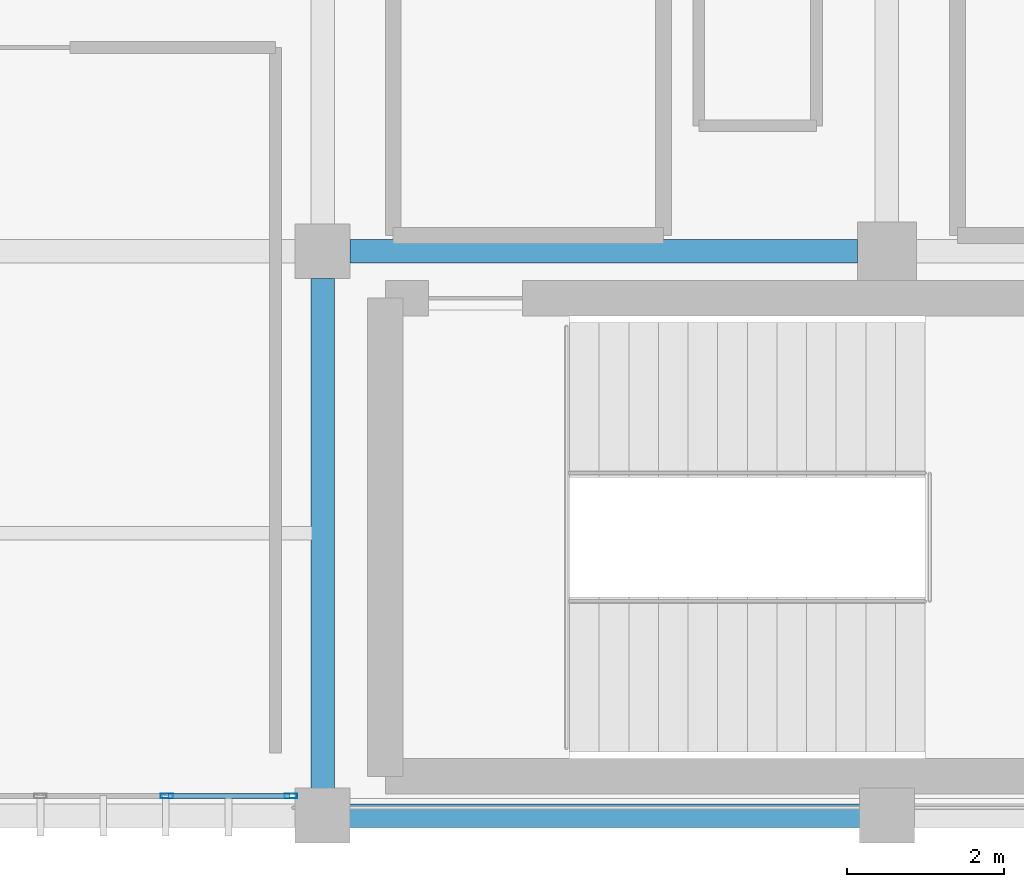
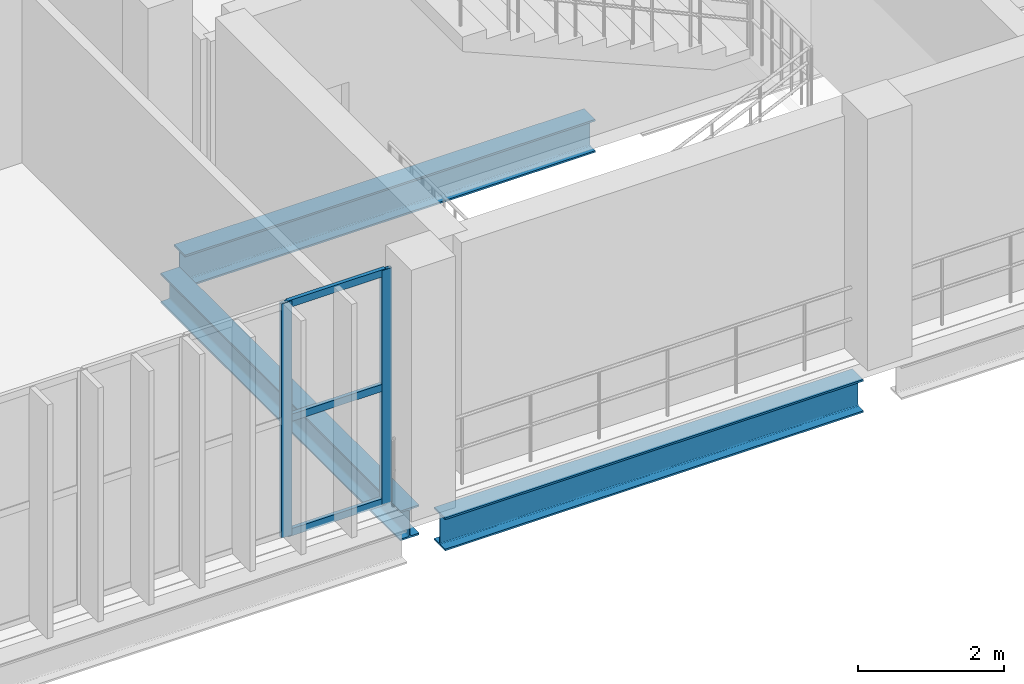
# One storey, part 26 of 130: 5 members, 3 beams, 1 element without a shape of its own.
"""IFC4 building model written with IfcOpenShell, lengths in metres."""

from ifc_helpers import new_model, si_unit, direction, frame, origin, origin_2d, place, context, subcontext, project, spatial, hollow_rectangle, i_section, extrude, material, material_profile, profile_set, type_object, element, aggregate, save


model = new_model("IFC4")

# Units and contexts
model_context = context("Model", 3, precision=1e-05, world=origin(), true_north=direction((0.0, 1.0)))
body_context = subcontext(model_context, "Body", "Model", "MODEL_VIEW")
ifc_project = project(units=[si_unit("LENGTHUNIT", "METRE"), si_unit("AREAUNIT", "SQUARE_METRE"), si_unit("VOLUMEUNIT", "CUBIC_METRE"), si_unit("PLANEANGLEUNIT", "RADIAN"), si_unit("MASSUNIT", "GRAM", prefix="KILO")], contexts=[model_context])

# Site, building, storey
site_placement = place(None, origin())
site = spatial("IfcSite", under=ifc_project, at=site_placement, CompositionType="ELEMENT")
building_placement = place(site_placement, origin())
building = spatial("IfcBuilding", under=site, at=building_placement, Name="Qandorah Velis Arena", CompositionType="ELEMENT")
storey_placement = place(building_placement, frame((0.0, 0.0, 9.60009765625)))
storey = spatial("IfcBuildingStorey", under=building, at=storey_placement, Name="L02", CompositionType="ELEMENT", Elevation=9.60009765625)

# Curtain wall, members
ifc_material_1 = material(Name="Solar-control low-E double glazing", Category="glass")
curtain_wall_type = type_object("IfcCurtainWallType", Name="ARC-CW-SYS15", PredefinedType="USERDEFINED", material=ifc_material_1)
curtain_wall_placement = place(storey_placement, origin())
curtain_wall = element("IfcCurtainWall", 1, at=curtain_wall_placement, inside=storey, type_object=curtain_wall_type, Name="Unitised curtain wall L02-063", ObjectType="UNITISED CURTAIN WALL", PredefinedType="USERDEFINED")
ifc_material_2 = material(Name="Champagne-bronze anodized aluminium 6063-T6", Category="aluminium")
ifc_material_profile_1 = material_profile(ifc_material_2, hollow_rectangle(XDim=0.06005859375, YDim=0.159912109375, WallThickness=0.00341796875, at=origin_2d()), Name="ALU MULLION 60x160")
ifc_profile_set_1 = profile_set([ifc_material_profile_1], Name="Champagne-bronze anodized aluminium 6063-T6")
member_type_1 = type_object("IfcMemberType", Name="ARC-CWM-160", PredefinedType="MULLION", material=ifc_profile_set_1)
member_1_placement = place(storey_placement, frame((48.41259765625, 0.25, -0.01513671875), z_axis=(0.0, 0.0, 1.0), x_axis=(0.0, 1.0, 0.0)))
member_1 = element("IfcMember", 2, at=member_1_placement, type_object=member_type_1, Name="CW15 mullion 4", PredefinedType="MULLION", context=body_context, shape_type="SweptSolid", body=[
    extrude(hollow_rectangle(XDim=0.06005859375, YDim=0.159912109375, WallThickness=0.00341796875, at=origin_2d()), origin(), (0.0, 0.0, 1.0), 3.91015625),
])
member_2_placement = place(storey_placement, frame((49.9951171875, 0.25, -0.01513671875), z_axis=(0.0, 0.0, 1.0), x_axis=(0.0, 1.0, 0.0)))
member_2 = element("IfcMember", 3, at=member_2_placement, type_object=member_type_1, Name="CW15 mullion 5", PredefinedType="MULLION", context=body_context, shape_type="SweptSolid", body=[
    extrude(hollow_rectangle(XDim=0.06005859375, YDim=0.159912109375, WallThickness=0.00341796875, at=origin_2d()), origin(), (0.0, 0.0, 1.0), 3.91015625),
])
ifc_material_profile_2 = material_profile(ifc_material_2, hollow_rectangle(XDim=0.06005859375, YDim=0.1201171875, WallThickness=0.0029296875, at=origin_2d()), Name="ALU TRANSOM 60x120")
ifc_profile_set_2 = profile_set([ifc_material_profile_2], Name="Champagne-bronze anodized aluminium 6063-T6")
member_type_2 = type_object("IfcMemberType", Name="ARC-CWT-120", PredefinedType="USERDEFINED", material=ifc_profile_set_2)
member_3_placement = place(storey_placement, frame((48.430419921875, 0.25, 0.02978515625), z_axis=(1.0, 0.0, 0.0), x_axis=(0.0, 1.0, 0.0)))
member_3 = element("IfcMember", 4, at=member_3_placement, type_object=member_type_2, Name="CW15 transom 4.1", ObjectType="TRANSOM", PredefinedType="USERDEFINED", context=body_context, shape_type="SweptSolid", body=[
    extrude(hollow_rectangle(XDim=0.06005859375, YDim=0.1201171875, WallThickness=0.0029296875, at=origin_2d()), origin(), (0.0, 0.0, 1.0), 1.546630859375),
])
member_4_placement = place(storey_placement, frame((48.430419921875, 0.25, 1.93994140625), z_axis=(1.0, 0.0, 0.0), x_axis=(0.0, 1.0, 0.0)))
member_4 = element("IfcMember", 5, at=member_4_placement, type_object=member_type_2, Name="CW15 transom 4.2", ObjectType="TRANSOM", PredefinedType="USERDEFINED", context=body_context, shape_type="SweptSolid", body=[
    extrude(hollow_rectangle(XDim=0.06005859375, YDim=0.1201171875, WallThickness=0.0029296875, at=origin_2d()), origin(), (0.0, 0.0, 1.0), 1.546630859375),
])
member_5_placement = place(storey_placement, frame((48.430419921875, 0.25, 3.849853515625), z_axis=(1.0, 0.0, 0.0), x_axis=(0.0, 1.0, 0.0)))
member_5 = element("IfcMember", 6, at=member_5_placement, type_object=member_type_2, Name="CW15 transom 4.3", ObjectType="TRANSOM", PredefinedType="USERDEFINED", context=body_context, shape_type="SweptSolid", body=[
    extrude(hollow_rectangle(XDim=0.06005859375, YDim=0.1201171875, WallThickness=0.0029296875, at=origin_2d()), origin(), (0.0, 0.0, 1.0), 1.546630859375),
])
aggregate(curtain_wall, [member_1, member_2, member_3, member_4, member_5])

# Beams
ifc_material_3 = material(Name="Steel S355", Category="steel")
ifc_material_profile_3 = material_profile(ifc_material_3, i_section(OverallWidth=0.300048828125, OverallDepth=0.5, WebThickness=0.014404296875, FlangeThickness=0.028076171875, FilletRadius=0.027099609375, at=origin_2d()), Name="HEB 500")
ifc_profile_set_3 = profile_set([ifc_material_profile_3], Name="Steel S355")
beam_type_1 = type_object("IfcBeamType", Name="STR-BM-HEB500", PredefinedType="BEAM", material=ifc_profile_set_3)
beam_1_placement = place(storey_placement, frame((50.39990234375, 0.300048828125, -0.530029296875), z_axis=(0.0, 1.0, 0.0), x_axis=(-1.0, 0.0, 0.0)))
element("IfcBeam", 7, at=beam_1_placement, inside=storey, type_object=beam_type_1, Name="Primary floor girder L02 Y-252", PredefinedType="BEAM", context=body_context, shape_type="SweptSolid", body=[
    extrude(i_section(OverallWidth=0.300048828125, OverallDepth=0.5, WebThickness=0.014404296875, FlangeThickness=0.028076171875, FilletRadius=0.027099609375, at=origin_2d()), origin(), (0.0, 0.0, 1.0), 6.550048828125),
])
ifc_material_profile_4 = material_profile(ifc_material_3, i_section(OverallWidth=0.300048828125, OverallDepth=0.550048828125, WebThickness=0.014892578125, FlangeThickness=0.029052734375, FilletRadius=0.027099609375, at=origin_2d()), Name="HEB 550")
ifc_profile_set_4 = profile_set([ifc_material_profile_4], Name="Steel S355")
beam_type_2 = type_object("IfcBeamType", Name="STR-BM-HEB550", PredefinedType="BEAM", material=ifc_profile_set_4)
beam_2_placement = place(storey_placement, frame((50.699951171875, 0.0, -0.55517578125), z_axis=(1.0, 0.0, 0.0), x_axis=(0.0, 1.0, 0.0)))
element("IfcBeam", 8, at=beam_2_placement, inside=storey, type_object=beam_type_2, Name="Primary floor girder L02 X-004", PredefinedType="BEAM", context=body_context, shape_type="SweptSolid", body=[
    extrude(i_section(OverallWidth=0.300048828125, OverallDepth=0.550048828125, WebThickness=0.014892578125, FlangeThickness=0.029052734375, FilletRadius=0.027099609375, at=origin_2d()), origin(), (0.0, 0.0, 1.0), 6.60009765625),
])
beam_3_placement = place(storey_placement, frame((50.75, 7.199951171875, -0.55517578125), z_axis=(1.0, 0.0, 0.0), x_axis=(0.0, 1.0, 0.0)))
element("IfcBeam", 9, at=beam_3_placement, inside=storey, type_object=beam_type_2, Name="Primary floor girder L02 X-016", PredefinedType="BEAM", context=body_context, shape_type="SweptSolid", body=[
    extrude(i_section(OverallWidth=0.300048828125, OverallDepth=0.550048828125, WebThickness=0.014892578125, FlangeThickness=0.029052734375, FilletRadius=0.027099609375, at=origin_2d()), origin(), (0.0, 0.0, 1.0), 6.47509765625),
])

save(model, "model.ifc")
